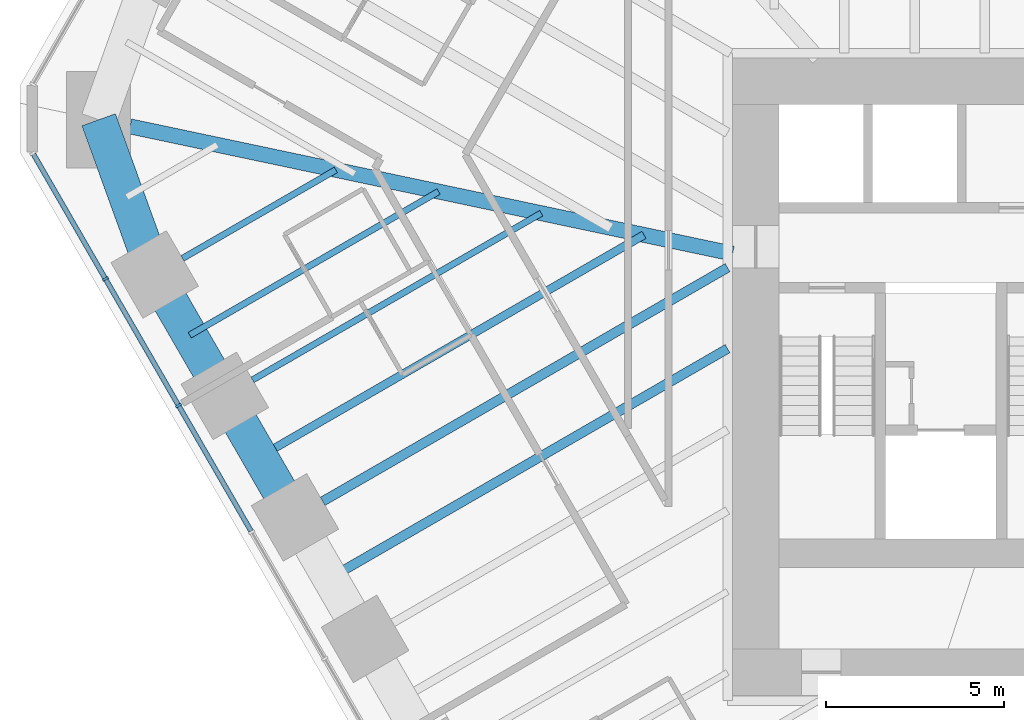
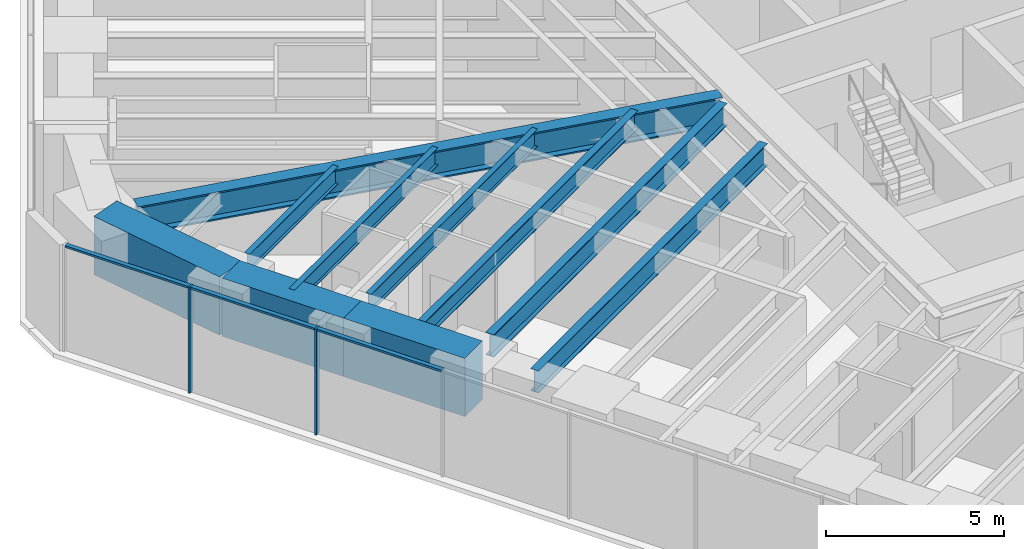
# One storey, part 3 of 17: 10 beams, 5 members, 1 element without a shape of its own.
"""IFC4 building model written with IfcOpenShell, lengths in metres."""

from ifc_helpers import new_model, si_unit, direction, frame, origin, origin_2d, place, context, subcontext, project, spatial, rectangle, i_section, extrude, material, material_profile, profile_set, type_object, element, aggregate, save


model = new_model("IFC4")

# Units and contexts
model_context = context("Model", 3, precision=1e-05, world=origin(), true_north=direction((0.0, 1.0)))
body_context = subcontext(model_context, "Body", "Model", "MODEL_VIEW")
ifc_project = project(units=[si_unit("LENGTHUNIT", "METRE"), si_unit("AREAUNIT", "SQUARE_METRE"), si_unit("VOLUMEUNIT", "CUBIC_METRE"), si_unit("PLANEANGLEUNIT", "RADIAN"), si_unit("MASSUNIT", "GRAM", prefix="KILO")], contexts=[model_context])

# Site, building, storey
site_placement = place(None, origin())
site = spatial("IfcSite", under=ifc_project, at=site_placement, CompositionType="ELEMENT")
building_placement = place(site_placement, origin())
building = spatial("IfcBuilding", under=site, at=building_placement, Name="Sandreach Pilgrim Tower", CompositionType="ELEMENT")
storey_placement = place(building_placement, frame((0.0, 0.0, 146.199951171875)))
storey = spatial("IfcBuildingStorey", under=building, at=storey_placement, Name="L36", CompositionType="ELEMENT", Elevation=146.199951171875)

# Curtain wall, members
ifc_material_1 = material(Name="Aluminium framed curtain wall", Category="aluminium")
curtain_wall_type = type_object("IfcCurtainWallType", Name="Hotel tower curtain wall", PredefinedType="NOTDEFINED", material=ifc_material_1)
curtain_wall_placement = place(storey_placement, origin())
curtain_wall = element("IfcCurtainWall", 1, at=curtain_wall_placement, inside=storey, type_object=curtain_wall_type, Name="CW-2 L36 SW", PredefinedType="NOTDEFINED")
ifc_material_2 = material(Name="Aluminium extrusion", Category="aluminium")
ifc_material_profile_1 = material_profile(ifc_material_2, rectangle(XDim=0.06494140625, YDim=0.179931640625, at=origin_2d()), Name="CW-2M 65X180")
ifc_profile_set_1 = profile_set([ifc_material_profile_1], Name="Aluminium extrusion")
member_type_1 = type_object("IfcMemberType", Name="CW-2 mullion", PredefinedType="MULLION", material=ifc_profile_set_1)
member_1_placement = place(storey_placement, frame((-24.614013671875, -2.35498046875, 0.0), z_axis=(0.0, 0.0, 1.0), x_axis=(-0.5, 0.866025403784, 0.0)))
member_1 = element("IfcMember", 2, at=member_1_placement, type_object=member_type_1, Name="CW-2 mullion 8", PredefinedType="MULLION", context=body_context, shape_type="SweptSolid", body=[
    extrude(rectangle(XDim=0.06494140625, YDim=0.179931640625, at=origin_2d()), origin(), (0.0, 0.0, 1.0), 3.64013671875),
])
member_2_placement = place(storey_placement, frame((-26.66748046875, 1.20166015625, 0.0), z_axis=(0.0, 0.0, 1.0), x_axis=(-0.5, 0.866025403784, 0.0)))
member_2 = element("IfcMember", 3, at=member_2_placement, type_object=member_type_1, Name="CW-2 mullion 9", PredefinedType="MULLION", context=body_context, shape_type="SweptSolid", body=[
    extrude(rectangle(XDim=0.06494140625, YDim=0.179931640625, at=origin_2d()), origin(), (0.0, 0.0, 1.0), 3.64013671875),
])
ifc_material_3 = material(Name="Aluminium extrusion", Category="aluminium")
ifc_material_profile_2 = material_profile(ifc_material_3, rectangle(XDim=0.139892578125, YDim=0.070068359375, at=origin_2d()), Name="CW-2T 140X70")
ifc_profile_set_2 = profile_set([ifc_material_profile_2], Name="Aluminium extrusion")
member_type_2 = type_object("IfcMemberType", Name="CW-2 transom", PredefinedType="USERDEFINED", material=ifc_profile_set_2)
member_3_placement = place(storey_placement, frame((-22.57666015625, -5.883544921875, 3.60498046875), z_axis=(-0.500023973715, 0.866011562111, 0.0), x_axis=(-0.866011562111, -0.500023973715, 0.0)))
member_3 = element("IfcMember", 4, at=member_3_placement, type_object=member_type_2, Name="CW-2 head transom 7", ObjectType="TRANSOM", PredefinedType="USERDEFINED", context=body_context, shape_type="SweptSolid", body=[
    extrude(rectangle(XDim=0.139892578125, YDim=0.070068359375, at=origin_2d()), origin(), (0.0, 0.0, 1.0), 4.041748046875),
])
member_4_placement = place(storey_placement, frame((-24.630126953125, -2.326904296875, 3.60498046875), z_axis=(-0.499997818338, 0.866026663364, 0.0), x_axis=(-0.866026663364, -0.499997818338, 0.0)))
member_4 = element("IfcMember", 5, at=member_4_placement, type_object=member_type_2, Name="CW-2 head transom 8", ObjectType="TRANSOM", PredefinedType="USERDEFINED", context=body_context, shape_type="SweptSolid", body=[
    extrude(rectangle(XDim=0.139892578125, YDim=0.070068359375, at=origin_2d()), origin(), (0.0, 0.0, 1.0), 4.0419921875),
])
member_5_placement = place(storey_placement, frame((-26.68359375, 1.229736328125, 3.60498046875), z_axis=(-0.500015851672, 0.866016251624, 0.0), x_axis=(-0.866016251624, -0.500015851672, 0.0)))
member_5 = element("IfcMember", 6, at=member_5_placement, type_object=member_type_2, Name="CW-2 head transom 9", ObjectType="TRANSOM", PredefinedType="USERDEFINED", context=body_context, shape_type="SweptSolid", body=[
    extrude(rectangle(XDim=0.139892578125, YDim=0.070068359375, at=origin_2d()), origin(), (0.0, 0.0, 1.0), 4.009521484375),
])
aggregate(curtain_wall, [member_1, member_2, member_3, member_4, member_5])

# Beams
ifc_material_4 = material(Name="Steel ASTM A992 Grade 50", Category="steel")
ifc_material_profile_3 = material_profile(ifc_material_4, i_section(OverallWidth=0.424072265625, OverallDepth=0.965087890625, WebThickness=0.028564453125, FlangeThickness=0.051025390625, at=origin_2d()), Name="W36X361")
ifc_profile_set_3 = profile_set([ifc_material_profile_3], Name="Steel ASTM A992 Grade 50")
beam_type_1 = type_object("IfcBeamType", Name="Corner girder W36X361", PredefinedType="BEAM", material=ifc_profile_set_3)
beam_1_placement = place(storey_placement, frame((-25.976806640625, 5.484619140625, 3.157470703125), z_axis=(0.978427882284, -0.206588671447, 0.0), x_axis=(0.206588671447, 0.978427882284, 0.0)))
element("IfcBeam", 7, at=beam_1_placement, inside=storey, type_object=beam_type_1, Name="BM L36 CG35", PredefinedType="BEAM", context=body_context, shape_type="SweptSolid", body=[
    extrude(i_section(OverallWidth=0.424072265625, OverallDepth=0.965087890625, WebThickness=0.028564453125, FlangeThickness=0.051025390625, at=origin_2d()), origin(), (0.0, 0.0, 1.0), 17.300048828125),
])
ifc_material_5 = material(Name="Steel ASTM A992 Grade 50", Category="steel")
ifc_material_profile_4 = material_profile(ifc_material_5, i_section(OverallWidth=0.1787109375, OverallDepth=0.60205078125, WebThickness=0.010986328125, FlangeThickness=0.014892578125, at=origin_2d()), Name="W24X62")
ifc_profile_set_4 = profile_set([ifc_material_profile_4], Name="Steel ASTM A992 Grade 50")
beam_type_2 = type_object("IfcBeamType", Name="Floor beam W24X62", PredefinedType="BEAM", material=ifc_profile_set_4)
beam_2_placement = place(storey_placement, frame((-22.534423828125, -1.63671875, 3.339111328125), z_axis=(0.866012351917, 0.500022605817, 0.0), x_axis=(-0.500022605817, 0.866012351917, 0.0)))
element("IfcBeam", 8, at=beam_2_placement, inside=storey, type_object=beam_type_2, Name="BM L36 F33", PredefinedType="BEAM", context=body_context, shape_type="SweptSolid", body=[
    extrude(i_section(OverallWidth=0.1787109375, OverallDepth=0.60205078125, WebThickness=0.010986328125, FlangeThickness=0.014892578125, at=origin_2d()), origin(), (0.0, 0.0, 1.0), 9.3642578125),
])
beam_3_placement = place(storey_placement, frame((-24.50439453125, 1.775390625, 3.339111328125), z_axis=(0.866024645457, 0.500001313459, 0.0), x_axis=(-0.500001313459, 0.866024645457, 0.0)))
element("IfcBeam", 9, at=beam_3_placement, inside=storey, type_object=beam_type_2, Name="BM L36 F34", PredefinedType="BEAM", context=body_context, shape_type="SweptSolid", body=[
    extrude(i_section(OverallWidth=0.1787109375, OverallDepth=0.60205078125, WebThickness=0.010986328125, FlangeThickness=0.014892578125, at=origin_2d()), origin(), (0.0, 0.0, 1.0), 4.9765625),
])
beam_4_placement = place(storey_placement, frame((-24.298828125, -0.380615234375, 3.339111328125), z_axis=(0.866022864518, 0.500004398112, 0.0), x_axis=(-0.500004398112, 0.866022864518, 0.0)))
element("IfcBeam", 10, at=beam_4_placement, inside=storey, type_object=beam_type_2, Name="BM L36 FM33", PredefinedType="BEAM", context=body_context, shape_type="SweptSolid", body=[
    extrude(i_section(OverallWidth=0.1787109375, OverallDepth=0.60205078125, WebThickness=0.010986328125, FlangeThickness=0.014892578125, at=origin_2d()), origin(), (0.0, 0.0, 1.0), 8.0703125),
])
ifc_material_6 = material(Name="Steel ASTM A992 Grade 50", Category="steel")
ifc_material_profile_5 = material_profile(ifc_material_6, i_section(OverallWidth=0.23046875, OverallDepth=0.6171875, WebThickness=0.01318359375, FlangeThickness=0.022216796875, at=origin_2d()), Name="W24X94")
ifc_profile_set_5 = profile_set([ifc_material_profile_5], Name="Steel ASTM A992 Grade 50")
beam_type_3 = type_object("IfcBeamType", Name="Floor beam W24X94", PredefinedType="BEAM", material=ifc_profile_set_5)
beam_5_placement = place(storey_placement, frame((-22.328857421875, -3.792724609375, 3.33154296875), z_axis=(0.866019150617, 0.500010830648, 0.0), x_axis=(-0.500010830648, 0.866019150617, 0.0)))
element("IfcBeam", 11, at=beam_5_placement, inside=storey, type_object=beam_type_3, Name="BM L36 FM32", PredefinedType="BEAM", context=body_context, shape_type="SweptSolid", body=[
    extrude(i_section(OverallWidth=0.23046875, OverallDepth=0.6171875, WebThickness=0.01318359375, FlangeThickness=0.022216796875, at=origin_2d()), origin(), (0.0, 0.0, 1.0), 12.458251953125),
])
ifc_material_7 = material(Name="Steel ASTM A992 Grade 50", Category="steel")
ifc_material_profile_6 = material_profile(ifc_material_7, i_section(OverallWidth=0.2666015625, OverallDepth=0.761962890625, WebThickness=0.014404296875, FlangeThickness=0.021484375, at=origin_2d()), Name="W30X116")
ifc_profile_set_6 = profile_set([ifc_material_profile_6], Name="Steel ASTM A992 Grade 50")
beam_type_4 = type_object("IfcBeamType", Name="Floor beam W30X116", PredefinedType="BEAM", material=ifc_profile_set_6)
beam_6_placement = place(storey_placement, frame((-20.564453125, -5.048828125, 3.259033203125), z_axis=(0.866022715736, 0.500004655807, 0.0), x_axis=(-0.500004655807, 0.866022715736, 0.0)))
element("IfcBeam", 12, at=beam_6_placement, inside=storey, type_object=beam_type_4, Name="BM L36 F32", PredefinedType="BEAM", context=body_context, shape_type="SweptSolid", body=[
    extrude(i_section(OverallWidth=0.2666015625, OverallDepth=0.761962890625, WebThickness=0.014404296875, FlangeThickness=0.021484375, at=origin_2d()), origin(), (0.0, 0.0, 1.0), 13.130126953125),
])
beam_7_placement = place(storey_placement, frame((-20.35888671875, -7.204833984375, 3.259033203125), z_axis=(0.866021609098, 0.500006572533, 0.0), x_axis=(-0.500006572533, 0.866021609098, 0.0)))
element("IfcBeam", 13, at=beam_7_placement, inside=storey, type_object=beam_type_4, Name="BM L36 FM31", PredefinedType="BEAM", context=body_context, shape_type="SweptSolid", body=[
    extrude(i_section(OverallWidth=0.2666015625, OverallDepth=0.761962890625, WebThickness=0.014404296875, FlangeThickness=0.021484375, at=origin_2d()), origin(), (0.0, 0.0, 1.0), 12.892822265625),
])
ifc_material_8 = material(Name="Concrete 10000 psi", Category="concrete")
ifc_material_profile_7 = material_profile(ifc_material_8, rectangle(XDim=1.0, YDim=2.0, at=origin_2d()), Name="RC1000X2000")
ifc_profile_set_7 = profile_set([ifc_material_profile_7], Name="Concrete 10000 psi")
beam_type_5 = type_object("IfcBeamType", Name="Spandrel beam RC1000X2000", PredefinedType="SPANDREL", material=ifc_profile_set_7)
for number, where, z_axis, x_axis, name in (
    (14, (-21.343994140625, -5.498779296875, 2.64013671875), (-0.49999779889, 0.866026674592, 0.0), (-0.866026674592, -0.49999779889, 0.0), "BM L36 SP32"),
    (15, (-23.31396484375, -2.086669921875, 2.64013671875), (-0.49999779889, 0.866026674592, 0.0), (-0.866026674592, -0.49999779889, 0.0), "BM L36 SP33"),
):
    element("IfcBeam", number, at=place(storey_placement, frame(where, z_axis=z_axis, x_axis=x_axis)), inside=storey, type_object=beam_type_5, Name=name, PredefinedType="SPANDREL", context=body_context, shape_type="SweptSolid", body=[
        extrude(rectangle(XDim=1.0, YDim=2.0, at=origin_2d()), origin(), (0.0, 0.0, 1.0), 3.93994140625),
    ])
beam_8_placement = place(storey_placement, frame((-25.283935546875, 1.325439453125, 2.64013671875), z_axis=(-0.340453163563, 0.940261476091, 0.0), x_axis=(-0.940261476091, -0.340453163563, 0.0)))
element("IfcBeam", 16, at=beam_8_placement, inside=storey, type_object=beam_type_5, Name="BM L36 SP34", PredefinedType="SPANDREL", context=body_context, shape_type="SweptSolid", body=[
    extrude(rectangle(XDim=1.0, YDim=2.0, at=origin_2d()), origin(), (0.0, 0.0, 1.0), 4.62109375),
])

save(model, "model.ifc")
